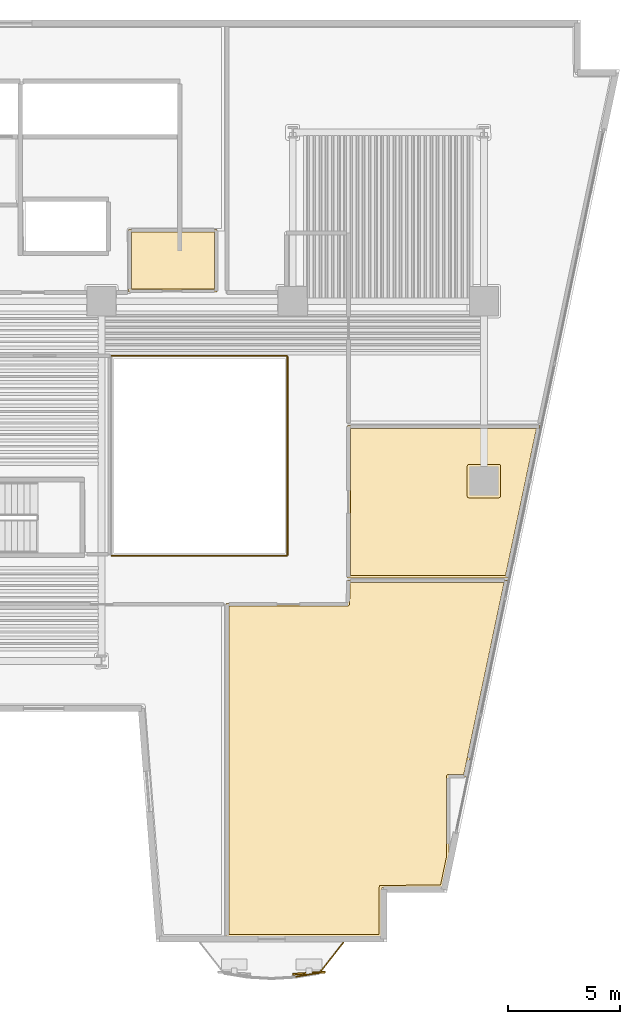
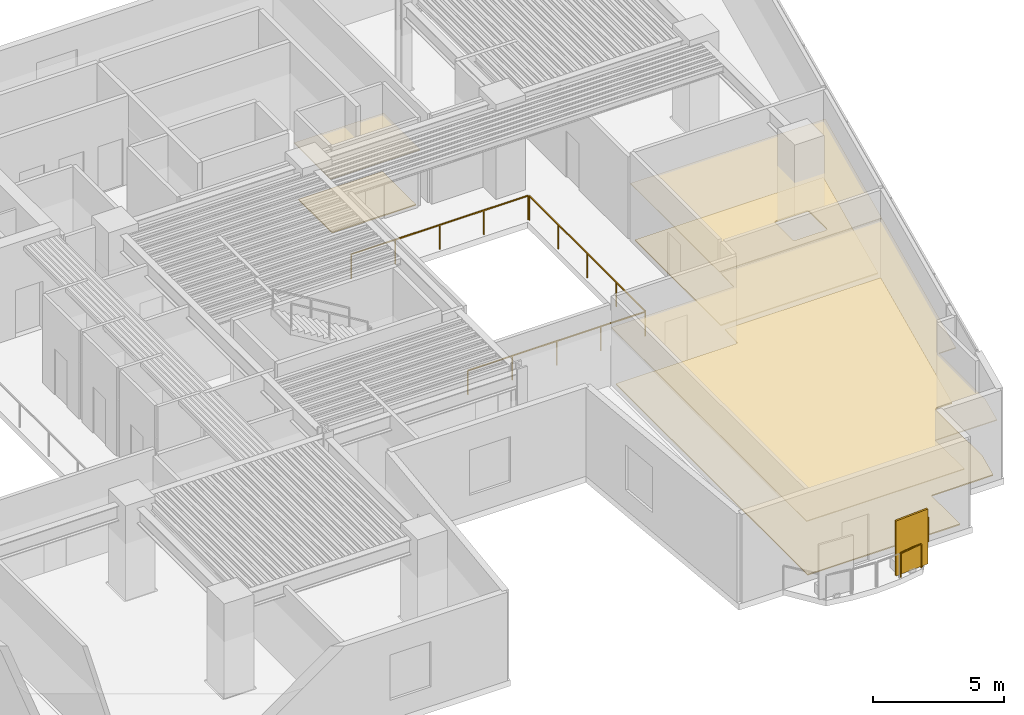
# One storey, part 10 of 12: 6 coverings, 5 railings, 1 shading device.
"""IFC4 building model written with IfcOpenShell, lengths in metres."""

from ifc_helpers import new_model, si_unit, direction, frame, origin, origin_2d, place, context, subcontext, project, spatial, polyline, rectangle, outline, extrude, material, layer, layer_set, type_object, element, save


model = new_model("IFC4")

# Units and contexts
model_context = context("Model", 3, precision=1e-05, world=origin(), true_north=direction((0.0, 1.0)))
body_context = subcontext(model_context, "Body", "Model", "MODEL_VIEW")
ifc_project = project(units=[si_unit("LENGTHUNIT", "METRE"), si_unit("AREAUNIT", "SQUARE_METRE"), si_unit("VOLUMEUNIT", "CUBIC_METRE"), si_unit("PLANEANGLEUNIT", "RADIAN"), si_unit("MASSUNIT", "GRAM", prefix="KILO")], contexts=[model_context])

# Site, building, storey
site_placement = place(None, origin())
site = spatial("IfcSite", under=ifc_project, at=site_placement, CompositionType="ELEMENT")
building_placement = place(site_placement, origin())
building = spatial("IfcBuilding", under=site, at=building_placement, Name="Caeloran Harvest Quay", CompositionType="ELEMENT")
storey_placement = place(building_placement, frame((0.0, 0.0, 88.60009765625)))
storey = spatial("IfcBuildingStorey", under=building, at=storey_placement, Name="L20", CompositionType="ELEMENT", Elevation=88.60009765625)

# Coverings
ifc_material_1 = material(Name="Perforated Mineral-Fibre Acoustic Ceiling Tile", Category="ceiling")
ifc_layer_1 = layer(ifc_material_1, 0.0400390625, Name="Perforated Mineral-Fibre Acoustic Ceiling Tile")
ifc_layer_set_1 = layer_set([ifc_layer_1], Name="Perforated Mineral-Fibre Acoustic Ceiling Tile")
covering_type_1 = type_object("IfcCoveringType", Name="COV-CEILING-ACOUSTIC", PredefinedType="CEILING", material=ifc_layer_set_1)
covering_1_placement = place(storey_placement, frame((0.0, 0.0, 2.599853515625)))
element("IfcCovering", 1, at=covering_1_placement, inside=storey, type_object=covering_type_1, Name="L20 Core Auxiliary Equipment Room Acoustic Ceiling", PredefinedType="CEILING", context=body_context, shape_type="SweptSolid", body=[
    extrude(outline(polyline([(39.139892578125, 34.18994140625), (39.139892578125, 31.409912109375), (35.2099609375, 31.409912109375), (35.2099609375, 34.18994140625), (39.139892578125, 34.18994140625)])), origin(), (0.0, 0.0, 1.0), 0.0400390625),
])
covering_2_placement = place(storey_placement, frame((0.0, 0.0, 2.599853515625)))
element("IfcCovering", 2, at=covering_2_placement, inside=storey, type_object=covering_type_1, Name="Sensory Fermentation Kitchen Acoustic Ceiling", PredefinedType="CEILING", context=body_context, shape_type="SweptSolid", body=[
    extrude(outline(polyline([(52.04638671875, 18.610107421875), (50.2041015625, 9.840087890625), (49.4599609375, 9.840087890625), (49.4599609375, 6.297607421875), (49.170654296875, 4.919921875), (46.467041015625, 4.919921875), (46.467041015625, 2.719970703125), (39.5400390625, 2.719970703125), (39.5400390625, 17.56005859375), (44.9111328125, 17.56005859375), (44.941162109375, 18.610107421875), (52.04638671875, 18.610107421875)])), origin(), (0.0, 0.0, 1.0), 0.0400390625),
])
covering_3_placement = place(storey_placement, frame((0.0, 0.0, 2.599853515625)))
element("IfcCovering", 3, at=covering_3_placement, inside=storey, type_object=covering_type_1, Name="Chef Development Kitchen Acoustic Ceiling", PredefinedType="CEILING", context=body_context, shape_type="SweptSolid", body=[
    extrude(outline(polyline([(44.93994140625, 18.68994140625), (44.93994140625, 25.4599609375), (53.485595703125, 25.4599609375), (52.063232421875, 18.68994140625), (44.93994140625, 18.68994140625)])), origin(), (0.0, 0.0, 1.0), 0.0400390625),
])
ifc_material_2 = material(Name="Calcium-Sulphate Raised Access Floor and Terrazzo Finish", Category="flooring")
ifc_layer_2 = layer(ifc_material_2, 0.050048828125, Name="Calcium-Sulphate Raised Access Floor and Terrazzo Finish")
ifc_layer_set_2 = layer_set([ifc_layer_2], Name="Calcium-Sulphate Raised Access Floor and Terrazzo Finish")
covering_type_2 = type_object("IfcCoveringType", Name="COV-FLOOR-RAISED", PredefinedType="FLOORING", material=ifc_layer_set_2)
covering_4_placement = place(storey_placement, origin())
element("IfcCovering", 4, at=covering_4_placement, inside=storey, type_object=covering_type_2, Name="L20 Core Auxiliary Equipment Room Raised Finish Flooring", PredefinedType="FLOORING", context=body_context, shape_type="SweptSolid", body=[
    extrude(outline(polyline([(39.02001953125, 34.070068359375), (39.02001953125, 31.530029296875), (35.330078125, 31.530029296875), (35.330078125, 34.070068359375), (39.02001953125, 34.070068359375)])), origin(), (0.0, 0.0, 1.0), 0.0498046875),
])
covering_5_placement = place(storey_placement, origin())
element("IfcCovering", 5, at=covering_5_placement, inside=storey, type_object=covering_type_2, Name="Sensory Fermentation Kitchen Raised Finish Flooring", PredefinedType="FLOORING", context=body_context, shape_type="SweptSolid", body=[
    extrude(outline(polyline([(51.898681640625, 18.489990234375), (50.106689453125, 9.9599609375), (49.412109375, 9.959716796875), (49.341552734375, 9.8955078125), (49.340087890625, 6.31005859375), (49.0732421875, 5.0400390625), (46.376220703125, 5.021728515625), (46.346923828125, 4.9599609375), (46.346923828125, 2.840087890625), (39.659912109375, 2.840087890625), (39.659912109375, 17.43994140625), (44.96533203125, 17.44140625), (45.029296875, 17.510009765625), (45.0576171875, 18.489990234375), (51.898681640625, 18.489990234375)])), origin(), (0.0, 0.0, 1.0), 0.0498046875),
])
covering_6_placement = place(storey_placement, origin())
element("IfcCovering", 6, at=covering_6_placement, inside=storey, type_object=covering_type_2, Name="Chef Development Kitchen Raised Finish Flooring", PredefinedType="FLOORING", context=body_context, shape_type="SweptSolid", body=[
    extrude(outline(polyline([(51.9658203125, 18.81005859375), (45.06005859375, 18.81005859375), (45.06005859375, 25.340087890625), (53.337646484375, 25.340087890625), (51.9658203125, 18.81005859375)]), holes=[polyline([(51.7451171875, 23.6650390625), (51.7216796875, 23.7216796875), (51.6650390625, 23.7451171875), (50.3349609375, 23.7451171875), (50.2783203125, 23.7216796875), (50.2548828125, 23.6650390625), (50.2548828125, 22.3349609375), (50.2783203125, 22.2783203125), (50.3349609375, 22.2548828125), (51.6650390625, 22.2548828125), (51.7216796875, 22.2783203125), (51.7451171875, 22.3349609375), (51.7451171875, 23.6650390625)])]), origin(), (0.0, 0.0, 1.0), 0.0498046875),
])

# Railings
ifc_material_3 = material(Name="Powder-Coated Steel Post and Laminated Glass Guardrail", Category="steel")
ifc_layer_3 = layer(ifc_material_3, 0.06005859375, Name="Powder-Coated Steel Post and Laminated Glass Guardrail")
ifc_layer_set_3 = layer_set([ifc_layer_3], Name="Powder-Coated Steel Post and Laminated Glass Guardrail")
railing_type_1 = type_object("IfcRailingType", Name="GUARD-ATRIUM-1150", PredefinedType="GUARDRAIL", material=ifc_layer_set_3)
railing_1_placement = place(storey_placement, frame((34.4619140625, 19.679931640625, 0.0)))
element("IfcRailing", 7, at=railing_1_placement, inside=storey, type_object=railing_type_1, Name="L20 East Botanical Lightwell Guardrail Seg 1", PredefinedType="GUARDRAIL", context=body_context, shape_type="SweptSolid", body=[
    extrude(rectangle(XDim=0.048095703125, YDim=0.048095703125, at=origin_2d()), frame((0.0, 0.0, 1.1259765625), z_axis=(1.0, 0.0, 0.0), x_axis=(0.0, 1.0, 0.0)), (0.0, 0.0, 1.0), 7.776123046875),
    extrude(rectangle(XDim=0.0419921875, YDim=0.0419921875, at=origin_2d()), origin(), (0.0, 0.0, 1.0), 1.101806640625),
    extrude(rectangle(XDim=0.0419921875, YDim=0.0419921875, at=origin_2d()), frame((1.944091796875, 0.0, 0.0)), (0.0, 0.0, 1.0), 1.101806640625),
    extrude(rectangle(XDim=0.0419921875, YDim=0.0419921875, at=origin_2d()), frame((3.88818359375, 0.0, 0.0)), (0.0, 0.0, 1.0), 1.101806640625),
    extrude(rectangle(XDim=0.0419921875, YDim=0.0419921875, at=origin_2d()), frame((5.83203125, 0.0, 0.0)), (0.0, 0.0, 1.0), 1.101806640625),
    extrude(rectangle(XDim=0.0419921875, YDim=0.0419921875, at=origin_2d()), frame((7.776123046875, 0.0, 0.0)), (0.0, 0.0, 1.0), 1.101806640625),
])
railing_2_placement = place(storey_placement, frame((42.27001953125, 19.7119140625, 0.0)))
element("IfcRailing", 8, at=railing_2_placement, inside=storey, type_object=railing_type_1, Name="L20 East Botanical Lightwell Guardrail Seg 2", PredefinedType="GUARDRAIL", context=body_context, shape_type="SweptSolid", body=[
    extrude(rectangle(XDim=0.048095703125, YDim=0.048095703125, at=origin_2d()), frame((0.0, 0.0, 1.1259765625), z_axis=(0.0, 1.0, 0.0), x_axis=(-1.0, 0.0, 0.0)), (0.0, 0.0, 1.0), 8.826171875),
    extrude(rectangle(XDim=0.0419921875, YDim=0.0419921875, at=origin_2d()), origin(), (0.0, 0.0, 1.0), 1.101806640625),
    extrude(rectangle(XDim=0.0419921875, YDim=0.0419921875, at=origin_2d()), frame((0.0, 2.20654296875, 0.0)), (0.0, 0.0, 1.0), 1.101806640625),
    extrude(rectangle(XDim=0.0419921875, YDim=0.0419921875, at=origin_2d()), frame((0.0, 4.4130859375, 0.0)), (0.0, 0.0, 1.0), 1.101806640625),
    extrude(rectangle(XDim=0.0419921875, YDim=0.0419921875, at=origin_2d()), frame((0.0, 6.61962890625, 0.0)), (0.0, 0.0, 1.0), 1.101806640625),
    extrude(rectangle(XDim=0.0419921875, YDim=0.0419921875, at=origin_2d()), frame((0.0, 8.826171875, 0.0)), (0.0, 0.0, 1.0), 1.101806640625),
])
railing_3_placement = place(storey_placement, frame((42.238037109375, 28.570068359375, 0.0)))
element("IfcRailing", 9, at=railing_3_placement, inside=storey, type_object=railing_type_1, Name="L20 East Botanical Lightwell Guardrail Seg 3", PredefinedType="GUARDRAIL", context=body_context, shape_type="SweptSolid", body=[
    extrude(rectangle(XDim=0.048095703125, YDim=0.048095703125, at=origin_2d()), frame((0.0, 0.0, 1.1259765625), z_axis=(-1.0, 0.0, 0.0), x_axis=(0.0, -1.0, 0.0)), (0.0, 0.0, 1.0), 7.776123046875),
    extrude(rectangle(XDim=0.0419921875, YDim=0.0419921875, at=origin_2d()), origin(), (0.0, 0.0, 1.0), 1.101806640625),
    extrude(rectangle(XDim=0.0419921875, YDim=0.0419921875, at=origin_2d()), frame((-1.944091796875, 0.0, 0.0)), (0.0, 0.0, 1.0), 1.101806640625),
    extrude(rectangle(XDim=0.0419921875, YDim=0.0419921875, at=origin_2d()), frame((-3.88818359375, 0.0, 0.0)), (0.0, 0.0, 1.0), 1.101806640625),
    extrude(rectangle(XDim=0.0419921875, YDim=0.0419921875, at=origin_2d()), frame((-5.83203125, 0.0, 0.0)), (0.0, 0.0, 1.0), 1.101806640625),
    extrude(rectangle(XDim=0.0419921875, YDim=0.0419921875, at=origin_2d()), frame((-7.776123046875, 0.0, 0.0)), (0.0, 0.0, 1.0), 1.101806640625),
])
ifc_material_4 = material(Name="Laminated Safety Glass and Stainless Steel 316", Category="steel")
ifc_layer_4 = layer(ifc_material_4, 0.06005859375, Name="Laminated Safety Glass and Stainless Steel 316")
ifc_layer_set_4 = layer_set([ifc_layer_4], Name="Laminated Safety Glass and Stainless Steel 316")
railing_type_2 = type_object("IfcRailingType", Name="GUARD-BALUSTRADE-1150", PredefinedType="BALUSTRADE", material=ifc_layer_set_4)
railing_4_placement = place(storey_placement, frame((44.7509765625, 2.47998046875, 0.0)))
element("IfcRailing", 10, at=railing_4_placement, inside=storey, type_object=railing_type_2, Name="L20 Planted Balcony Perimeter Balustrade Guard Seg 1", PredefinedType="BALUSTRADE", context=body_context, shape_type="SweptSolid", body=[
    extrude(rectangle(XDim=0.048095703125, YDim=0.048095703125, at=origin_2d()), frame((0.0, 0.0, 1.1259765625), z_axis=(-0.620053053858, -0.784559883248, 0.0), x_axis=(0.784559883248, -0.620053053858, 0.0)), (0.0, 0.0, 1.0), 1.684326171875),
    extrude(rectangle(XDim=0.0419921875, YDim=0.0419921875, at=origin_2d()), origin(), (0.0, 0.0, 1.0), 1.101806640625),
    extrude(rectangle(XDim=0.0419921875, YDim=0.0419921875, at=origin_2d()), frame((-1.04443359375, -1.321533203125, 0.0)), (0.0, 0.0, 1.0), 1.101806640625),
])
railing_5_placement = place(storey_placement, frame((43.6552734375, 1.12841796875, 0.0)))
element("IfcRailing", 11, at=railing_5_placement, inside=storey, type_object=railing_type_2, Name="L20 Planted Balcony Perimeter Balustrade Guard Seg 2", PredefinedType="BALUSTRADE", context=body_context, shape_type="SweptSolid", body=[
    extrude(rectangle(XDim=0.048095703125, YDim=0.048095703125, at=origin_2d()), frame((0.0, 0.0, 1.1259765625), z_axis=(-0.986985953374, -0.160806491916, 0.0), x_axis=(0.160806491916, -0.986985953374, 0.0)), (0.0, 0.0, 1.0), 1.01416015625),
    extrude(rectangle(XDim=0.0419921875, YDim=0.0419921875, at=origin_2d()), origin(), (0.0, 0.0, 1.0), 1.101806640625),
    extrude(rectangle(XDim=0.0419921875, YDim=0.0419921875, at=origin_2d()), frame((-1.0009765625, -0.1630859375, 0.0)), (0.0, 0.0, 1.0), 1.101806640625),
])

# Shading device
ifc_material_5 = material(Name="3003-H14 Perforated Powder-Coated Aluminium", Category="aluminium")
shading_device_type = type_object("IfcShadingDeviceType", Name="SHADE-SCREEN-FOLDED", PredefinedType="USERDEFINED", material=ifc_material_5)
shading_device_placement = place(storey_placement, frame((43.218505859375, 1.121337890625, 0.07470703125), z_axis=(0.0, 0.0, 1.0), x_axis=(0.997801468292, 0.0662739004, 0.0)))
element("IfcShadingDevice", 12, at=shading_device_placement, inside=storey, type_object=shading_device_type, Name="L20 Folded Facade Breathing Screen 1", ObjectType="SCREEN", PredefinedType="USERDEFINED", context=body_context, shape_type="SweptSolid", body=[
    extrude(rectangle(XDim=1.449951171875, YDim=0.080078125, at=origin_2d()), origin(), (0.0, 0.0, 1.0), 2.550048828125),
])

save(model, "model.ifc")
